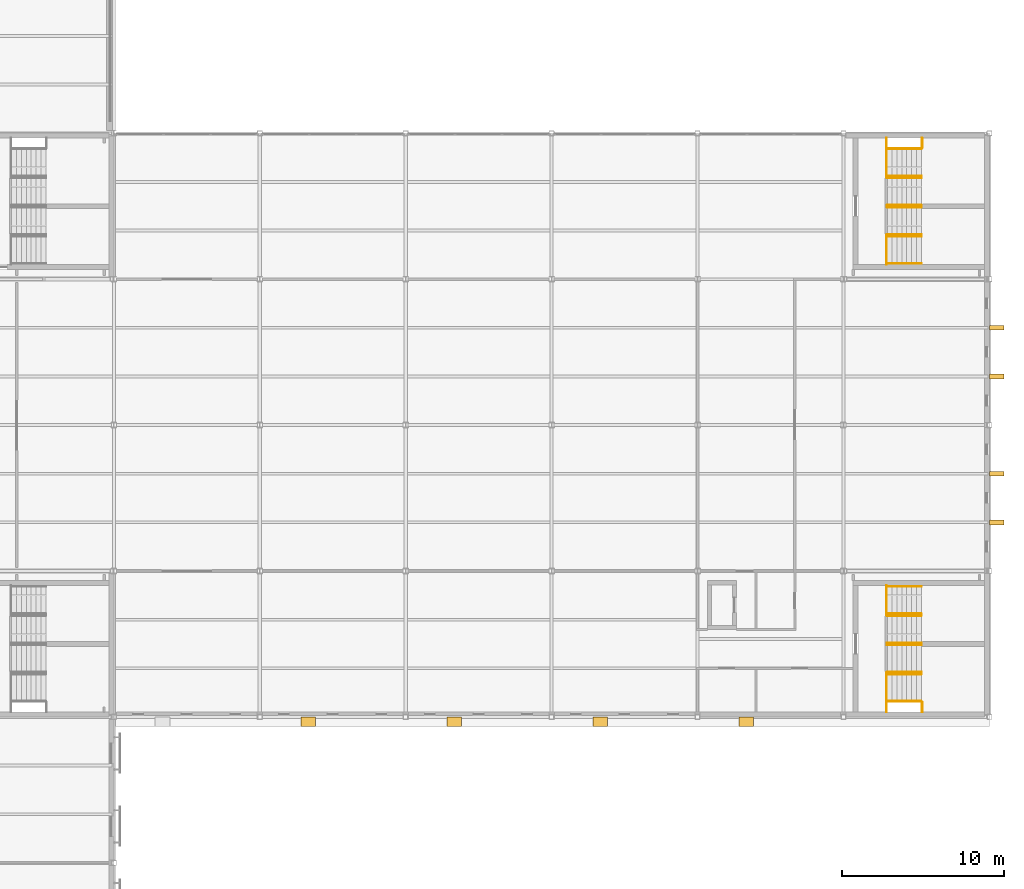
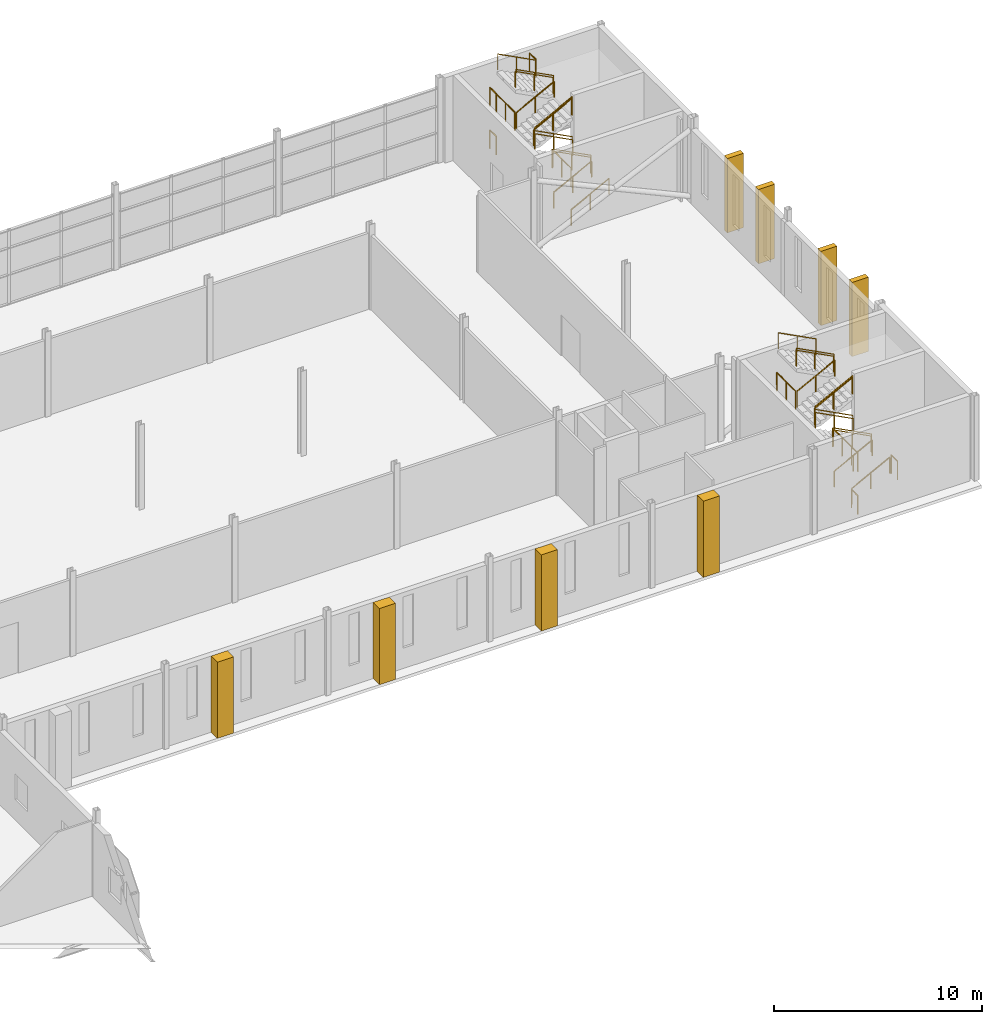
# One storey, part 112 of 112: 34 railings, 8 shading devices.
"""IFC4 building model written with IfcOpenShell, lengths in metres."""

from ifc_helpers import new_model, si_unit, direction, frame, origin, origin_2d, place, context, subcontext, project, spatial, rectangle, circle, extrude, material, layer, layer_set, type_object, element, save


model = new_model("IFC4")

# Units and contexts
model_context = context("Model", 3, precision=1e-05, world=origin(), true_north=direction((0.0, 1.0)))
body_context = subcontext(model_context, "Body", "Model", "MODEL_VIEW")
ifc_project = project(units=[si_unit("LENGTHUNIT", "METRE"), si_unit("AREAUNIT", "SQUARE_METRE"), si_unit("VOLUMEUNIT", "CUBIC_METRE"), si_unit("PLANEANGLEUNIT", "RADIAN"), si_unit("MASSUNIT", "GRAM", prefix="KILO")], contexts=[model_context])

# Site, building, storey
site_placement = place(None, origin())
site = spatial("IfcSite", under=ifc_project, at=site_placement, CompositionType="ELEMENT")
building_placement = place(site_placement, origin())
building = spatial("IfcBuilding", under=site, at=building_placement, Name="Shorebreak Coast Museum", CompositionType="ELEMENT")
storey_placement = place(building_placement, frame((0.0, 0.0, 6.0)))
storey = spatial("IfcBuildingStorey", under=building, at=storey_placement, Name="L01", CompositionType="ELEMENT", Elevation=6.0)

# Shading devices
ifc_material_1 = material(Name="Precast concrete C40/50", Category="concrete")
ifc_layer_1 = layer(ifc_material_1, 0.89990234375)
ifc_layer_set_1 = layer_set([ifc_layer_1], Name="Precast concrete C40/50")
shading_device_type_1 = type_object("IfcShadingDeviceType", Name="Precast rib 900 x 600", PredefinedType="USERDEFINED", material=ifc_layer_set_1)
for number, where, z_axis, x_axis, name in (
    (1, (129.0, 53.699951171875, 0.0), (0.0, 0.0, 1.0), (1.0, 0.0, 0.0), "Precast rib L01 S7"),
    (2, (138.0, 53.699951171875, 0.0), (0.0, 0.0, 1.0), (1.0, 0.0, 0.0), "Precast rib L01 S8"),
    (3, (147.0, 53.699951171875, 0.0), (0.0, 0.0, 1.0), (1.0, 0.0, 0.0), "Precast rib L01 S9"),
    (4, (156.0, 53.699951171875, 0.0), (0.0, 0.0, 1.0), (1.0, 0.0, 0.0), "Precast rib L01 S10"),
):
    element("IfcShadingDevice", number, at=place(storey_placement, frame(where, z_axis=z_axis, x_axis=x_axis)), inside=storey, type_object=shading_device_type_1, Name=name, ObjectType="FIN", PredefinedType="USERDEFINED", context=body_context, shape_type="SweptSolid", body=[
        extrude(rectangle(XDim=0.89990234375, YDim=0.60009765625, at=origin_2d()), origin(), (0.0, 0.0, 1.0), 4.469482421875),
    ])

# Railings
ifc_material_2 = material(Name="Steel Grade 300", Category="steel")
railing_type_1 = type_object("IfcRailingType", Name="Stair guard 1100", PredefinedType="GUARDRAIL", material=ifc_material_2)
for number, where, name in (
    (5, (164.64990234375, 54.89990234375, 2.5), "Guard ST07 L01 landing mid1"),
    (6, (164.64990234375, 60.300048828125, 2.5), "Guard ST07 L01 landing mid1"),
):
    element("IfcRailing", number, at=place(storey_placement, frame(where)), inside=storey, type_object=railing_type_1, Name=name, PredefinedType="GUARDRAIL", context=body_context, shape_type="SweptSolid", body=[
        extrude(circle(Radius=0.02490234375, at=origin_2d()), frame((0.0, 0.0, 1.0751953125), z_axis=(0.0, 1.0, 0.0), x_axis=(-1.0, 0.0, 0.0)), (0.0, 0.0, 1.0), 1.800048828125),
        extrude(circle(Radius=0.02001953125, at=origin_2d()), origin(), (0.0, 0.0, 1.0), 1.050048828125),
        extrude(circle(Radius=0.02001953125, at=origin_2d()), frame((0.0, 0.89990234375, 0.0)), (0.0, 0.0, 1.0), 1.050048828125),
        extrude(circle(Radius=0.02001953125, at=origin_2d()), frame((0.0, 1.800048828125, 0.0)), (0.0, 0.0, 1.0), 1.050048828125),
    ])
for number, where, name in (
    (7, (164.64990234375, 54.300048828125, 0.0), "Guard ST07 L01 landing strip"),
    (8, (164.64990234375, 54.300048828125, 2.5), "Guard ST07 L01 landing strip"),
    (9, (166.85009765625, 54.300048828125, 1.25), "Guard ST07 L01 landing strip"),
):
    element("IfcRailing", number, at=place(storey_placement, frame(where)), inside=storey, type_object=railing_type_1, Name=name, PredefinedType="GUARDRAIL", context=body_context, shape_type="SweptSolid", body=[
        extrude(circle(Radius=0.02490234375, at=origin_2d()), frame((0.0, 0.0, 1.0751953125), z_axis=(0.0, 1.0, 0.0), x_axis=(-1.0, 0.0, 0.0)), (0.0, 0.0, 1.0), 0.599853515625),
        extrude(circle(Radius=0.02001953125, at=origin_2d()), origin(), (0.0, 0.0, 1.0), 1.050048828125),
        extrude(circle(Radius=0.02001953125, at=origin_2d()), frame((0.0, 0.599853515625, 0.0)), (0.0, 0.0, 1.0), 1.050048828125),
    ])
for number, where, name in (
    (10, (166.800048828125, 56.699951171875, 1.40625), "Guard ST07-L01 well 1"),
    (11, (166.800048828125, 60.300048828125, 3.90625), "Guard ST07-L01 well 2"),
    (12, (166.800048828125, 58.5, 1.40625), "Guard ST07-L01 side 1"),
):
    element("IfcRailing", number, at=place(storey_placement, frame(where)), inside=storey, type_object=railing_type_1, Name=name, PredefinedType="GUARDRAIL", context=body_context, shape_type="SweptSolid", body=[
        extrude(circle(Radius=0.02490234375, at=origin_2d()), frame((0.0, 0.0, 1.0751953125), z_axis=(-0.8869228845, 0.0, 0.461917521804), x_axis=(0.0, -1.0, 0.0)), (0.0, 0.0, 1.0), 2.367919921875),
        extrude(circle(Radius=0.02001953125, at=origin_2d()), origin(), (0.0, 0.0, 1.0), 1.050048828125),
        extrude(circle(Radius=0.02001953125, at=origin_2d()), frame((-1.050048828125, 0.0, 0.546875)), (0.0, 0.0, 1.0), 1.050048828125),
        extrude(circle(Radius=0.02001953125, at=origin_2d()), frame((-2.10009765625, 0.0, 1.09375)), (0.0, 0.0, 1.0), 1.050048828125),
    ])
railing_1_placement = place(storey_placement, frame((164.699951171875, 58.5, 2.65625)))
element("IfcRailing", 13, at=railing_1_placement, inside=storey, type_object=railing_type_1, Name="Guard ST07-L01 side 2", PredefinedType="GUARDRAIL", context=body_context, shape_type="SweptSolid", body=[
    extrude(circle(Radius=0.02490234375, at=origin_2d()), frame((0.0, 0.0, 1.0751953125), z_axis=(0.8869228845, 0.0, 0.461917521804), x_axis=(0.0, 1.0, 0.0)), (0.0, 0.0, 1.0), 2.367919921875),
    extrude(circle(Radius=0.02001953125, at=origin_2d()), origin(), (0.0, 0.0, 1.0), 1.050048828125),
    extrude(circle(Radius=0.02001953125, at=origin_2d()), frame((1.050048828125, 0.0, 0.546875)), (0.0, 0.0, 1.0), 1.050048828125),
    extrude(circle(Radius=0.02001953125, at=origin_2d()), frame((2.10009765625, 0.0, 1.09375)), (0.0, 0.0, 1.0), 1.050048828125),
])
for number, where, name in (
    (14, (164.64990234375, 81.89990234375, 2.5), "Guard ST08 L01 landing mid1"),
    (15, (164.64990234375, 87.300048828125, 2.5), "Guard ST08 L01 landing mid1"),
):
    element("IfcRailing", number, at=place(storey_placement, frame(where)), inside=storey, type_object=railing_type_1, Name=name, PredefinedType="GUARDRAIL", context=body_context, shape_type="SweptSolid", body=[
        extrude(circle(Radius=0.02490234375, at=origin_2d()), frame((0.0, 0.0, 1.0751953125), z_axis=(0.0, 1.0, 0.0), x_axis=(-1.0, 0.0, 0.0)), (0.0, 0.0, 1.0), 1.800048828125),
        extrude(circle(Radius=0.02001953125, at=origin_2d()), origin(), (0.0, 0.0, 1.0), 1.050048828125),
        extrude(circle(Radius=0.02001953125, at=origin_2d()), frame((0.0, 0.89990234375, 0.0)), (0.0, 0.0, 1.0), 1.050048828125),
        extrude(circle(Radius=0.02001953125, at=origin_2d()), frame((0.0, 1.800048828125, 0.0)), (0.0, 0.0, 1.0), 1.050048828125),
    ])
for number, where, name in (
    (16, (164.64990234375, 89.10009765625, 0.0), "Guard ST08 L01 landing strip"),
    (17, (164.64990234375, 89.10009765625, 2.5), "Guard ST08 L01 landing strip"),
    (18, (166.85009765625, 89.10009765625, 3.75), "Guard ST08 L01 landing strip"),
):
    element("IfcRailing", number, at=place(storey_placement, frame(where)), inside=storey, type_object=railing_type_1, Name=name, PredefinedType="GUARDRAIL", context=body_context, shape_type="SweptSolid", body=[
        extrude(circle(Radius=0.02490234375, at=origin_2d()), frame((0.0, 0.0, 1.0751953125), z_axis=(0.0, 1.0, 0.0), x_axis=(-1.0, 0.0, 0.0)), (0.0, 0.0, 1.0), 0.599853515625),
        extrude(circle(Radius=0.02001953125, at=origin_2d()), origin(), (0.0, 0.0, 1.0), 1.050048828125),
        extrude(circle(Radius=0.02001953125, at=origin_2d()), frame((0.0, 0.599853515625, 0.0)), (0.0, 0.0, 1.0), 1.050048828125),
    ])
for number, where, name in (
    (19, (166.800048828125, 83.699951171875, 1.40625), "Guard ST08-L01 well 1"),
    (20, (166.800048828125, 87.300048828125, 3.90625), "Guard ST08-L01 well 2"),
    (21, (166.800048828125, 85.5, 1.40625), "Guard ST08-L01 side 1"),
):
    element("IfcRailing", number, at=place(storey_placement, frame(where)), inside=storey, type_object=railing_type_1, Name=name, PredefinedType="GUARDRAIL", context=body_context, shape_type="SweptSolid", body=[
        extrude(circle(Radius=0.02490234375, at=origin_2d()), frame((0.0, 0.0, 1.0751953125), z_axis=(-0.8869228845, 0.0, 0.461917521804), x_axis=(0.0, -1.0, 0.0)), (0.0, 0.0, 1.0), 2.367919921875),
        extrude(circle(Radius=0.02001953125, at=origin_2d()), origin(), (0.0, 0.0, 1.0), 1.050048828125),
        extrude(circle(Radius=0.02001953125, at=origin_2d()), frame((-1.050048828125, 0.0, 0.546875)), (0.0, 0.0, 1.0), 1.050048828125),
        extrude(circle(Radius=0.02001953125, at=origin_2d()), frame((-2.10009765625, 0.0, 1.09375)), (0.0, 0.0, 1.0), 1.050048828125),
    ])
railing_2_placement = place(storey_placement, frame((164.699951171875, 85.5, 2.65625)))
element("IfcRailing", 22, at=railing_2_placement, inside=storey, type_object=railing_type_1, Name="Guard ST08-L01 side 2", PredefinedType="GUARDRAIL", context=body_context, shape_type="SweptSolid", body=[
    extrude(circle(Radius=0.02490234375, at=origin_2d()), frame((0.0, 0.0, 1.0751953125), z_axis=(0.8869228845, 0.0, 0.461917521804), x_axis=(0.0, 1.0, 0.0)), (0.0, 0.0, 1.0), 2.367919921875),
    extrude(circle(Radius=0.02001953125, at=origin_2d()), origin(), (0.0, 0.0, 1.0), 1.050048828125),
    extrude(circle(Radius=0.02001953125, at=origin_2d()), frame((1.050048828125, 0.0, 0.546875)), (0.0, 0.0, 1.0), 1.050048828125),
    extrude(circle(Radius=0.02001953125, at=origin_2d()), frame((2.10009765625, 0.0, 1.09375)), (0.0, 0.0, 1.0), 1.050048828125),
])
ifc_material_3 = material(Name="Steel Grade 300", Category="steel")
railing_type_2 = type_object("IfcRailingType", Name="Stair handrail 950", PredefinedType="HANDRAIL", material=ifc_material_3)
for number, where, name in (
    (23, (164.699951171875, 54.9599609375, 0.15625), "Handrail ST07-L01 flight 1a"),
    (24, (164.699951171875, 56.639892578125, 0.15625), "Handrail ST07-L01 flight 1b"),
):
    element("IfcRailing", number, at=place(storey_placement, frame(where)), inside=storey, type_object=railing_type_2, Name=name, PredefinedType="HANDRAIL", context=body_context, shape_type="SweptSolid", body=[
        extrude(circle(Radius=0.02490234375, at=origin_2d()), frame((0.0, 0.0, 0.9248046875), z_axis=(0.8869228845, 0.0, 0.461917521804), x_axis=(0.0, 1.0, 0.0)), (0.0, 0.0, 1.0), 2.367919921875),
        extrude(circle(Radius=0.02001953125, at=origin_2d()), origin(), (0.0, 0.0, 1.0), 0.89990234375),
        extrude(circle(Radius=0.02001953125, at=origin_2d()), frame((1.050048828125, 0.0, 0.546875)), (0.0, 0.0, 1.0), 0.89990234375),
        extrude(circle(Radius=0.02001953125, at=origin_2d()), frame((2.10009765625, 0.0, 1.09375)), (0.0, 0.0, 1.0), 0.89990234375),
    ])
for number, where, name in (
    (25, (166.800048828125, 56.760009765625, 1.40625), "Handrail ST07-L01 flight 2a"),
    (26, (166.800048828125, 58.43994140625, 1.40625), "Handrail ST07-L01 flight 2b"),
):
    element("IfcRailing", number, at=place(storey_placement, frame(where)), inside=storey, type_object=railing_type_2, Name=name, PredefinedType="HANDRAIL", context=body_context, shape_type="SweptSolid", body=[
        extrude(circle(Radius=0.02490234375, at=origin_2d()), frame((0.0, 0.0, 0.9248046875), z_axis=(-0.8869228845, 0.0, 0.461917521804), x_axis=(0.0, -1.0, 0.0)), (0.0, 0.0, 1.0), 2.367919921875),
        extrude(circle(Radius=0.02001953125, at=origin_2d()), origin(), (0.0, 0.0, 1.0), 0.89990234375),
        extrude(circle(Radius=0.02001953125, at=origin_2d()), frame((-1.050048828125, 0.0, 0.546875)), (0.0, 0.0, 1.0), 0.89990234375),
        extrude(circle(Radius=0.02001953125, at=origin_2d()), frame((-2.10009765625, 0.0, 1.09375)), (0.0, 0.0, 1.0), 0.89990234375),
    ])
for number, where, name in (
    (27, (164.699951171875, 58.56005859375, 2.65625), "Handrail ST07-L01 flight 3a"),
    (28, (164.699951171875, 60.239990234375, 2.65625), "Handrail ST07-L01 flight 3b"),
):
    element("IfcRailing", number, at=place(storey_placement, frame(where)), inside=storey, type_object=railing_type_2, Name=name, PredefinedType="HANDRAIL", context=body_context, shape_type="SweptSolid", body=[
        extrude(circle(Radius=0.02490234375, at=origin_2d()), frame((0.0, 0.0, 0.9248046875), z_axis=(0.8869228845, 0.0, 0.461917521804), x_axis=(0.0, 1.0, 0.0)), (0.0, 0.0, 1.0), 2.367919921875),
        extrude(circle(Radius=0.02001953125, at=origin_2d()), origin(), (0.0, 0.0, 1.0), 0.89990234375),
        extrude(circle(Radius=0.02001953125, at=origin_2d()), frame((1.050048828125, 0.0, 0.546875)), (0.0, 0.0, 1.0), 0.89990234375),
        extrude(circle(Radius=0.02001953125, at=origin_2d()), frame((2.10009765625, 0.0, 1.09375)), (0.0, 0.0, 1.0), 0.89990234375),
    ])
for number, where, name in (
    (29, (166.800048828125, 60.360107421875, 3.90625), "Handrail ST07-L01 flight 4a"),
    (30, (166.800048828125, 62.0400390625, 3.90625), "Handrail ST07-L01 flight 4b"),
):
    element("IfcRailing", number, at=place(storey_placement, frame(where)), inside=storey, type_object=railing_type_2, Name=name, PredefinedType="HANDRAIL", context=body_context, shape_type="SweptSolid", body=[
        extrude(circle(Radius=0.02490234375, at=origin_2d()), frame((0.0, 0.0, 0.9248046875), z_axis=(-0.8869228845, 0.0, 0.461917521804), x_axis=(0.0, -1.0, 0.0)), (0.0, 0.0, 1.0), 2.367919921875),
        extrude(circle(Radius=0.02001953125, at=origin_2d()), origin(), (0.0, 0.0, 1.0), 0.89990234375),
        extrude(circle(Radius=0.02001953125, at=origin_2d()), frame((-1.050048828125, 0.0, 0.546875)), (0.0, 0.0, 1.0), 0.89990234375),
        extrude(circle(Radius=0.02001953125, at=origin_2d()), frame((-2.10009765625, 0.0, 1.09375)), (0.0, 0.0, 1.0), 0.89990234375),
    ])
for number, where, name in (
    (31, (164.699951171875, 81.9599609375, 0.15625), "Handrail ST08-L01 flight 1a"),
    (32, (164.699951171875, 83.639892578125, 0.15625), "Handrail ST08-L01 flight 1b"),
):
    element("IfcRailing", number, at=place(storey_placement, frame(where)), inside=storey, type_object=railing_type_2, Name=name, PredefinedType="HANDRAIL", context=body_context, shape_type="SweptSolid", body=[
        extrude(circle(Radius=0.02490234375, at=origin_2d()), frame((0.0, 0.0, 0.9248046875), z_axis=(0.8869228845, 0.0, 0.461917521804), x_axis=(0.0, 1.0, 0.0)), (0.0, 0.0, 1.0), 2.367919921875),
        extrude(circle(Radius=0.02001953125, at=origin_2d()), origin(), (0.0, 0.0, 1.0), 0.89990234375),
        extrude(circle(Radius=0.02001953125, at=origin_2d()), frame((1.050048828125, 0.0, 0.546875)), (0.0, 0.0, 1.0), 0.89990234375),
        extrude(circle(Radius=0.02001953125, at=origin_2d()), frame((2.10009765625, 0.0, 1.09375)), (0.0, 0.0, 1.0), 0.89990234375),
    ])
for number, where, name in (
    (33, (166.800048828125, 83.760009765625, 1.40625), "Handrail ST08-L01 flight 2a"),
    (34, (166.800048828125, 85.43994140625, 1.40625), "Handrail ST08-L01 flight 2b"),
):
    element("IfcRailing", number, at=place(storey_placement, frame(where)), inside=storey, type_object=railing_type_2, Name=name, PredefinedType="HANDRAIL", context=body_context, shape_type="SweptSolid", body=[
        extrude(circle(Radius=0.02490234375, at=origin_2d()), frame((0.0, 0.0, 0.9248046875), z_axis=(-0.8869228845, 0.0, 0.461917521804), x_axis=(0.0, -1.0, 0.0)), (0.0, 0.0, 1.0), 2.367919921875),
        extrude(circle(Radius=0.02001953125, at=origin_2d()), origin(), (0.0, 0.0, 1.0), 0.89990234375),
        extrude(circle(Radius=0.02001953125, at=origin_2d()), frame((-1.050048828125, 0.0, 0.546875)), (0.0, 0.0, 1.0), 0.89990234375),
        extrude(circle(Radius=0.02001953125, at=origin_2d()), frame((-2.10009765625, 0.0, 1.09375)), (0.0, 0.0, 1.0), 0.89990234375),
    ])
for number, where, name in (
    (35, (164.699951171875, 85.56005859375, 2.65625), "Handrail ST08-L01 flight 3a"),
    (36, (164.699951171875, 87.239990234375, 2.65625), "Handrail ST08-L01 flight 3b"),
):
    element("IfcRailing", number, at=place(storey_placement, frame(where)), inside=storey, type_object=railing_type_2, Name=name, PredefinedType="HANDRAIL", context=body_context, shape_type="SweptSolid", body=[
        extrude(circle(Radius=0.02490234375, at=origin_2d()), frame((0.0, 0.0, 0.9248046875), z_axis=(0.8869228845, 0.0, 0.461917521804), x_axis=(0.0, 1.0, 0.0)), (0.0, 0.0, 1.0), 2.367919921875),
        extrude(circle(Radius=0.02001953125, at=origin_2d()), origin(), (0.0, 0.0, 1.0), 0.89990234375),
        extrude(circle(Radius=0.02001953125, at=origin_2d()), frame((1.050048828125, 0.0, 0.546875)), (0.0, 0.0, 1.0), 0.89990234375),
        extrude(circle(Radius=0.02001953125, at=origin_2d()), frame((2.10009765625, 0.0, 1.09375)), (0.0, 0.0, 1.0), 0.89990234375),
    ])
for number, where, name in (
    (37, (166.800048828125, 87.360107421875, 3.90625), "Handrail ST08-L01 flight 4a"),
    (38, (166.800048828125, 89.0400390625, 3.90625), "Handrail ST08-L01 flight 4b"),
):
    element("IfcRailing", number, at=place(storey_placement, frame(where)), inside=storey, type_object=railing_type_2, Name=name, PredefinedType="HANDRAIL", context=body_context, shape_type="SweptSolid", body=[
        extrude(circle(Radius=0.02490234375, at=origin_2d()), frame((0.0, 0.0, 0.9248046875), z_axis=(-0.8869228845, 0.0, 0.461917521804), x_axis=(0.0, -1.0, 0.0)), (0.0, 0.0, 1.0), 2.367919921875),
        extrude(circle(Radius=0.02001953125, at=origin_2d()), origin(), (0.0, 0.0, 1.0), 0.89990234375),
        extrude(circle(Radius=0.02001953125, at=origin_2d()), frame((-1.050048828125, 0.0, 0.546875)), (0.0, 0.0, 1.0), 0.89990234375),
        extrude(circle(Radius=0.02001953125, at=origin_2d()), frame((-2.10009765625, 0.0, 1.09375)), (0.0, 0.0, 1.0), 0.89990234375),
    ])

# Shading devices
ifc_material_4 = material(Name="Concrete N50 (50 MPa)", Category="concrete")
ifc_layer_2 = layer(ifc_material_4, 0.300048828125)
ifc_layer_set_2 = layer_set([ifc_layer_2], Name="Concrete N50 (50 MPa)")
shading_device_type_2 = type_object("IfcShadingDeviceType", Name="Sun fin 300 x 900", PredefinedType="USERDEFINED", material=ifc_layer_set_2)
for number, where, z_axis, x_axis, name in (
    (39, (171.449951171875, 66.0, 0.0), (0.0, 0.0, 1.0), (1.0, 0.0, 0.0), "Sun fin L01 E2"),
    (40, (171.449951171875, 69.0, 0.0), (0.0, 0.0, 1.0), (1.0, 0.0, 0.0), "Sun fin L01 E3"),
    (41, (171.449951171875, 75.0, 0.0), (0.0, 0.0, 1.0), (1.0, 0.0, 0.0), "Sun fin L01 E4"),
    (42, (171.449951171875, 78.0, 0.0), (0.0, 0.0, 1.0), (1.0, 0.0, 0.0), "Sun fin L01 E5"),
):
    element("IfcShadingDevice", number, at=place(storey_placement, frame(where, z_axis=z_axis, x_axis=x_axis)), inside=storey, type_object=shading_device_type_2, Name=name, ObjectType="FIN", PredefinedType="USERDEFINED", context=body_context, shape_type="SweptSolid", body=[
        extrude(rectangle(XDim=0.89990234375, YDim=0.300048828125, at=origin_2d()), origin(), (0.0, 0.0, 1.0), 4.364501953125),
    ])

save(model, "model.ifc")
